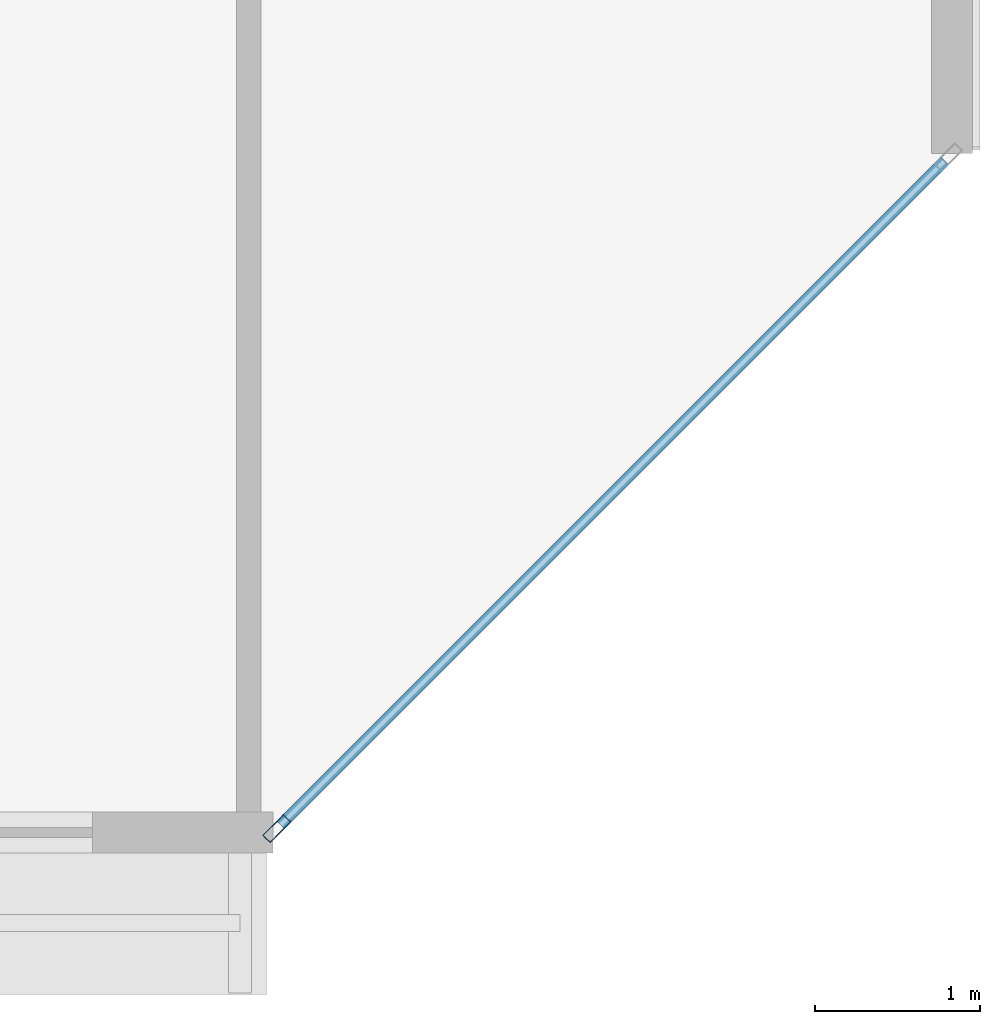
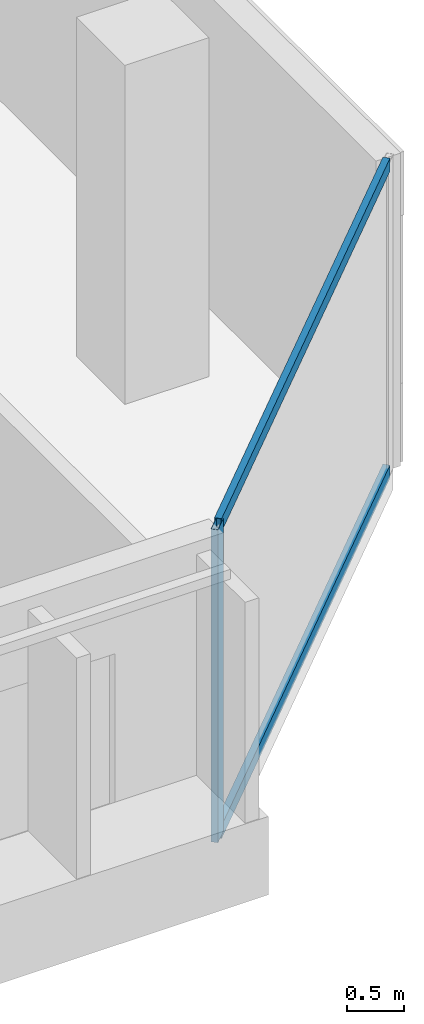
# One storey, part 13 of 31: 3 members, 1 element without a shape of its own.
"""IFC4 building model written with IfcOpenShell, lengths in metres."""

import ifcopenshell
import ifcopenshell.guid

model = None  # the IFC model being written
_history = None  # IfcOwnerHistory: only IFC2X3 demands one
_inside = {}  # id of a spatial element -> (the spatial element, [elements in it])
_under = {}  # id of a project, library or spatial element -> (it, [spatial elements below it])
_declared = {}  # id of a project -> (the project, [libraries it declares])
_typed = {}  # id of a type object -> (the type object, [elements of that type])
_made_of = {}  # id of a material, layer set ... -> (it, [elements and type objects made of it])


def new_model(schema):
    """Start an empty IFC model of exactly this schema.

    Asked for "IFC4X3", IfcOpenShell would pick the latest addendum, in which some entities
    have other attributes; the version numbers below select the first issue.
    IFC2X3 requires an IfcOwnerHistory on every rooted entity: one is made here for all.
    """
    global model, _history
    if schema == "IFC4X3":
        model = ifcopenshell.file(schema_version=(4, 3, 0, 0))
    else:
        model = ifcopenshell.file(schema=schema)
    _inside.clear()
    _under.clear()
    _declared.clear()
    _typed.clear()
    _made_of.clear()
    _history = None
    if model.schema == "IFC2X3":
        org = make("IfcOrganization", Name="unknown")
        user = make(
            "IfcPersonAndOrganization",
            ThePerson=make("IfcPerson", FamilyName="unknown"),
            TheOrganization=org,
        )
        app = make(
            "IfcApplication",
            ApplicationDeveloper=org,
            Version="unknown",
            ApplicationFullName="unknown",
            ApplicationIdentifier="unknown",
        )
        _history = make(
            "IfcOwnerHistory",
            OwningUser=user,
            OwningApplication=app,
            ChangeAction="ADDED",
            CreationDate=0,
        )
    return model


def make(cls, **values):
    """One entity of the class cls with the attributes given. An attribute that is None is left unset."""
    return model.create_entity(
        cls, **{name: value for name, value in values.items() if value is not None}
    )


def rooted(cls, **values):
    """An entity with a GlobalId (a new one), such as an element, a storey or a relation."""
    return make(cls, GlobalId=ifcopenshell.guid.new(), OwnerHistory=_history, **values)


def si_unit(unit_type, name, prefix=None):
    """IfcSIUnit, for example si_unit("LENGTHUNIT", "METRE", prefix="MILLI")."""
    return make("IfcSIUnit", UnitType=unit_type, Prefix=prefix, Name=name)


def assignment(units):
    """IfcUnitAssignment: the units of a project."""
    return None if units is None else make("IfcUnitAssignment", Units=units)


def point(xyz):
    """IfcCartesianPoint."""
    return None if xyz is None else make("IfcCartesianPoint", Coordinates=xyz)


def direction(xyz):
    """IfcDirection."""
    return None if xyz is None else make("IfcDirection", DirectionRatios=xyz)


def frame(location, z_axis=None, x_axis=None):
    """IfcAxis2Placement3D, a coordinate frame: its origin and axes. An axis left out is left unset."""
    return make(
        "IfcAxis2Placement3D",
        Location=point(location),
        Axis=direction(z_axis),
        RefDirection=direction(x_axis),
    )


def frame_2d(location, x_axis=None):
    """IfcAxis2Placement2D, a coordinate frame in the plane: its origin and x axis."""
    return make(
        "IfcAxis2Placement2D", Location=point(location), RefDirection=direction(x_axis)
    )


def origin():
    """The frame at (0, 0, 0) with its axes left unset."""
    return frame((0.0, 0.0, 0.0))


def origin_2d():
    """The frame at (0, 0) in the plane with its x axis left unset."""
    return frame_2d((0.0, 0.0))


def place(relative_to, where):
    """IfcLocalPlacement: puts the frame where relative to a parent placement (None: the world)."""
    return make(
        "IfcLocalPlacement", PlacementRelTo=relative_to, RelativePlacement=where
    )


def context(
    kind, dimensions, precision=None, world=None, true_north=None, identifier=None
):
    """IfcGeometricRepresentationContext, for example the 3D "Model" context."""
    return make(
        "IfcGeometricRepresentationContext",
        ContextIdentifier=identifier,
        ContextType=kind,
        CoordinateSpaceDimension=dimensions,
        Precision=precision,
        WorldCoordinateSystem=world,
        TrueNorth=true_north,
    )


def subcontext(parent, identifier, kind, view, scale=None):
    """IfcGeometricRepresentationSubContext, for example "Body" below "Model"."""
    return make(
        "IfcGeometricRepresentationSubContext",
        ContextIdentifier=identifier,
        ContextType=kind,
        ParentContext=parent,
        TargetScale=scale,
        TargetView=view,
    )


def project(units=None, contexts=None):
    """IfcProject with its units and contexts."""
    return rooted(
        "IfcProject",
        Name="project",
        RepresentationContexts=contexts,
        UnitsInContext=assignment(units),
    )


def spatial(cls, under=None, at=None, **own):
    """A site, building, storey or space (cls), placed at a placement, below another one or the project."""
    s = rooted(cls, ObjectPlacement=at, **own)
    if under is not None:
        _under.setdefault(under.id(), (under, []))[1].append(s)
    return s


def profile(cls, at=None, kind="AREA", **sizes):
    """A parametric profile (cls). Its sizes go by their IFC names, for example OverallWidth=200.0."""
    return make(cls, ProfileType=kind, Position=at, **sizes)


def hollow_rectangle(**sizes):
    """IfcRectangleHollowProfileDef."""
    return profile("IfcRectangleHollowProfileDef", **sizes)


def extrude(swept, where, along, depth):
    """IfcExtrudedAreaSolid: the profile swept, set in the frame where, extruded along a direction by depth."""
    return make(
        "IfcExtrudedAreaSolid",
        SweptArea=swept,
        Position=where,
        ExtrudedDirection=direction(along),
        Depth=depth,
    )


def shape(context_of_items, identifier, shape_type, items):
    """IfcShapeRepresentation: the items that make up one representation, for example the "Body"."""
    return make(
        "IfcShapeRepresentation",
        ContextOfItems=context_of_items,
        RepresentationIdentifier=identifier,
        RepresentationType=shape_type,
        Items=items,
    )


def material(Name=None, Category=None):
    """IfcMaterial."""
    return make("IfcMaterial", Name=Name, Category=Category)


def layer(
    of_material, thickness, ventilated=None, Name=None, Category=None, Priority=None
):
    """IfcMaterialLayer: one layer of a wall or slab, of a material (None: an air gap)."""
    return make(
        "IfcMaterialLayer",
        Material=of_material,
        LayerThickness=thickness,
        IsVentilated=ventilated,
        Name=Name,
        Category=Category,
        Priority=Priority,
    )


def layer_set(layers, Name=None):
    """IfcMaterialLayerSet."""
    return make("IfcMaterialLayerSet", MaterialLayers=layers, LayerSetName=Name)


def material_profile(
    of_material, cross_section, Name=None, Category=None, Priority=None
):
    """IfcMaterialProfile: a cross section and its material."""
    return make(
        "IfcMaterialProfile",
        Name=Name,
        Material=of_material,
        Profile=cross_section,
        Priority=Priority,
        Category=Category,
    )


def profile_set(profiles, Name=None, composite=None):
    """IfcMaterialProfileSet."""
    return make(
        "IfcMaterialProfileSet",
        Name=Name,
        MaterialProfiles=profiles,
        CompositeProfile=composite,
    )


def made_of(thing, what):
    """Note that an element or type object is made of a material, layer set ...; save() writes the relation."""
    if what is not None:
        _made_of.setdefault(what.id(), (what, []))[1].append(thing)
    return thing


def type_object(cls, material=None, **own):
    """A type object (cls), such as IfcWallType, which elements share."""
    return made_of(rooted(cls, **own), material)


def element(
    cls,
    number,
    at=None,
    inside=None,
    cuts=None,
    type_object=None,
    material=None,
    context=None,
    identifier="Body",
    shape_type=None,
    held_by="IfcProductDefinitionShape",
    body=None,
    shapes=None,
    **own,
):
    """One element of the class cls, such as IfcWall. Its Tag is "e" and its number.

    at: its placement. inside: the storey or other place that contains it. cuts: it is an
    opening in that element (IfcRelVoidsElement). A single representation is given by context,
    identifier, shape_type and body (its items); several are given by shapes. held_by: the class
    of the entity that holds the representations. save() writes the other relations.
    """
    e = rooted(cls, Tag="e%d" % number, ObjectPlacement=at, **own)
    if body is not None:
        shapes = [shape(context, identifier, shape_type, body)]
    if shapes is not None:
        e.Representation = make(held_by, Representations=shapes)
    if inside is not None:
        _inside.setdefault(inside.id(), (inside, []))[1].append(e)
    if cuts is not None:
        rooted(
            "IfcRelVoidsElement", RelatingBuildingElement=cuts, RelatedOpeningElement=e
        )
    if type_object is not None:
        _typed.setdefault(type_object.id(), (type_object, []))[1].append(e)
    return made_of(e, material)


def aggregate(whole, parts):
    """IfcRelAggregates: a whole, such as a stair, and the parts it consists of."""
    return rooted("IfcRelAggregates", RelatingObject=whole, RelatedObjects=parts)


def save(model, path):
    """Write the relations noted so far, then the file.

    IfcRelAggregates (storeys below a building ...), IfcRelContainedInSpatialStructure (elements
    in a storey), IfcRelDefinesByType, IfcRelAssociatesMaterial and IfcRelDeclares: one each for
    every whole, place, type object, material and project.
    """
    for whole, parts in _under.values():
        aggregate(whole, parts)
    for where, things in _inside.values():
        rooted(
            "IfcRelContainedInSpatialStructure",
            RelatedElements=things,
            RelatingStructure=where,
        )
    for kind, things in _typed.values():
        rooted("IfcRelDefinesByType", RelatedObjects=things, RelatingType=kind)
    for what, things in _made_of.values():
        rooted("IfcRelAssociatesMaterial", RelatedObjects=things, RelatingMaterial=what)
    for by, libraries in _declared.values():
        rooted("IfcRelDeclares", RelatingContext=by, RelatedDefinitions=libraries)
    model.write(path)


model = new_model("IFC4")

# Units and contexts
model_context = context("Model", 3, precision=1e-05, world=origin(), true_north=direction((0.0, 1.0)))
body_context = subcontext(model_context, "Body", "Model", "MODEL_VIEW")
ifc_project = project(units=[si_unit("LENGTHUNIT", "METRE"), si_unit("AREAUNIT", "SQUARE_METRE"), si_unit("VOLUMEUNIT", "CUBIC_METRE"), si_unit("PLANEANGLEUNIT", "RADIAN"), si_unit("MASSUNIT", "GRAM", prefix="KILO")], contexts=[model_context])

# Site, building, storey
site_placement = place(None, origin())
site = spatial("IfcSite", under=ifc_project, at=site_placement, CompositionType="ELEMENT")
building_placement = place(site_placement, origin())
building = spatial("IfcBuilding", under=site, at=building_placement, Name="Tanjung Sevakor Pilgrim Tower", CompositionType="ELEMENT")
storey_placement = place(building_placement, frame((0.0, 0.0, 169.2900390625)))
storey = spatial("IfcBuildingStorey", under=building, at=storey_placement, Name="L47", CompositionType="ELEMENT", Elevation=169.2900390625)

# Curtain wall, members
ifc_material_1 = material(Name="Aluminium 6063-T6 and Low-E Glass", Category="aluminium")
ifc_layer = layer(ifc_material_1, 0.179931640625)
ifc_layer_set = layer_set([ifc_layer], Name="CW-SYS-CHAM")
curtain_wall_type = type_object("IfcCurtainWallType", Name="CW-SYS-CHAM", PredefinedType="NOTDEFINED", material=ifc_layer_set)
curtain_wall_placement = place(storey_placement, origin())
curtain_wall = element("IfcCurtainWall", 1, at=curtain_wall_placement, inside=storey, type_object=curtain_wall_type, Name="L47 Curtain Wall CW-CHM-L47-MAIN-5", PredefinedType="NOTDEFINED")
ifc_material_2 = material(Name="Aluminium 6063-T6", Category="aluminium")
ifc_material_profile_1 = material_profile(ifc_material_2, hollow_rectangle(XDim=0.06494140625, YDim=0.179931640625, WallThickness=0.00390625, at=origin_2d()))
ifc_profile_set_1 = profile_set([ifc_material_profile_1], Name="Aluminium 6063-T6")
member_type_1 = type_object("IfcMemberType", Name="TYPE-CWM-1", PredefinedType="MULLION", material=ifc_profile_set_1)
member_1_placement = place(storey_placement, frame((95.771240234375, 12.048095703125, 0.0), z_axis=(0.0, 0.0, 1.0), x_axis=(-0.707106781187, 0.707106781187, 0.0)))
member_1 = element("IfcMember", 2, at=member_1_placement, type_object=member_type_1, Name="CW-CHM mullion 1", PredefinedType="MULLION", context=body_context, shape_type="SweptSolid", body=[
    extrude(hollow_rectangle(XDim=0.06494140625, YDim=0.179931640625, WallThickness=0.00390625, at=origin_2d()), origin(), (0.0, 0.0, 1.0), 3.349853515625),
])
ifc_material_3 = material(Name="Aluminium 6063-T6", Category="aluminium")
ifc_material_profile_2 = material_profile(ifc_material_3, hollow_rectangle(XDim=0.06494140625, YDim=0.139892578125, WallThickness=0.00390625, at=origin_2d()))
ifc_profile_set_2 = profile_set([ifc_material_profile_2], Name="Aluminium 6063-T6")
member_type_2 = type_object("IfcMemberType", Name="TYPE-CWT-1", PredefinedType="USERDEFINED", material=ifc_profile_set_2)
member_2_placement = place(storey_placement, frame((95.794189453125, 12.071044921875, 0.032470703125), z_axis=(0.707106781187, 0.707106781187, 0.0), x_axis=(-0.707106781187, 0.707106781187, 0.0)))
member_2 = element("IfcMember", 3, at=member_2_placement, type_object=member_type_2, Name="CW-CHM transom 1.1", ObjectType="TRANSOM", PredefinedType="USERDEFINED", context=body_context, shape_type="SweptSolid", body=[
    extrude(hollow_rectangle(XDim=0.06494140625, YDim=0.139892578125, WallThickness=0.00390625, at=origin_2d()), origin(), (0.0, 0.0, 1.0), 5.706298828125),
])
member_3_placement = place(storey_placement, frame((95.794189453125, 12.071044921875, 3.3173828125), z_axis=(0.707106781187, 0.707106781187, 0.0), x_axis=(-0.707106781187, 0.707106781187, 0.0)))
member_3 = element("IfcMember", 4, at=member_3_placement, type_object=member_type_2, Name="CW-CHM transom 1.2", ObjectType="TRANSOM", PredefinedType="USERDEFINED", context=body_context, shape_type="SweptSolid", body=[
    extrude(hollow_rectangle(XDim=0.06494140625, YDim=0.139892578125, WallThickness=0.00390625, at=origin_2d()), origin(), (0.0, 0.0, 1.0), 5.706298828125),
])
aggregate(curtain_wall, [member_1, member_2, member_3])

save(model, "model.ifc")
